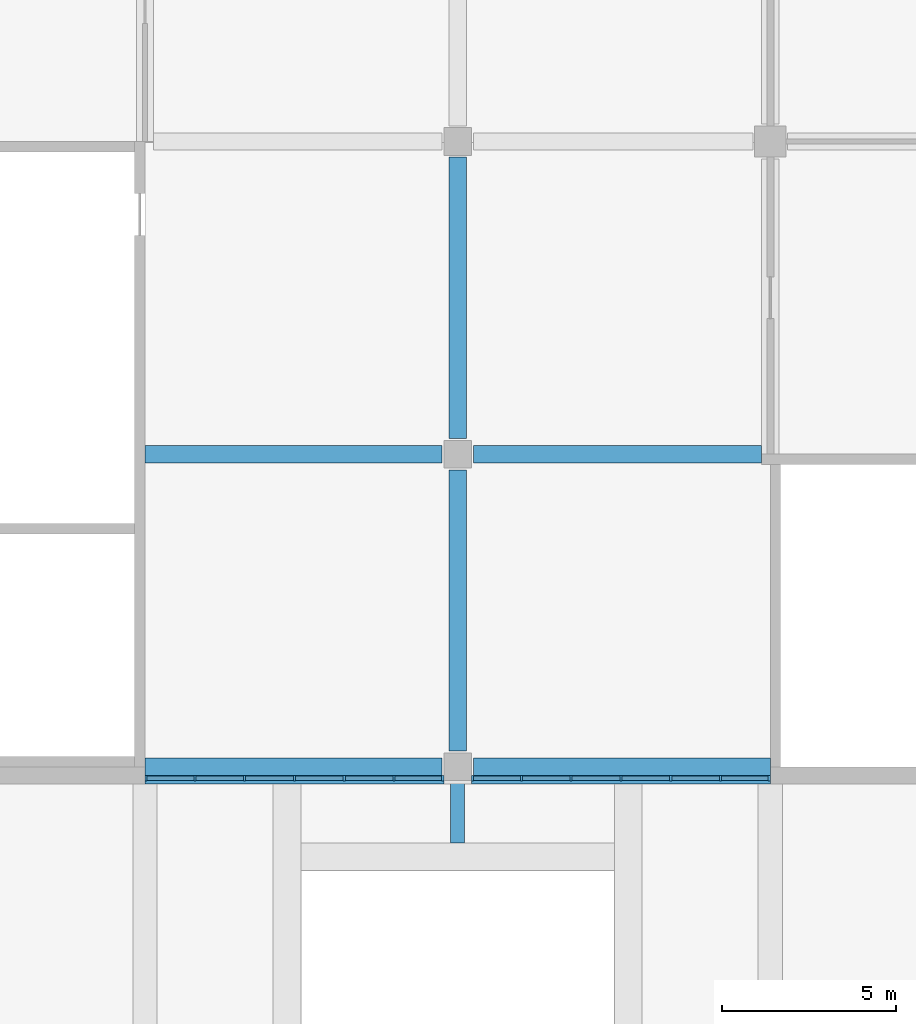
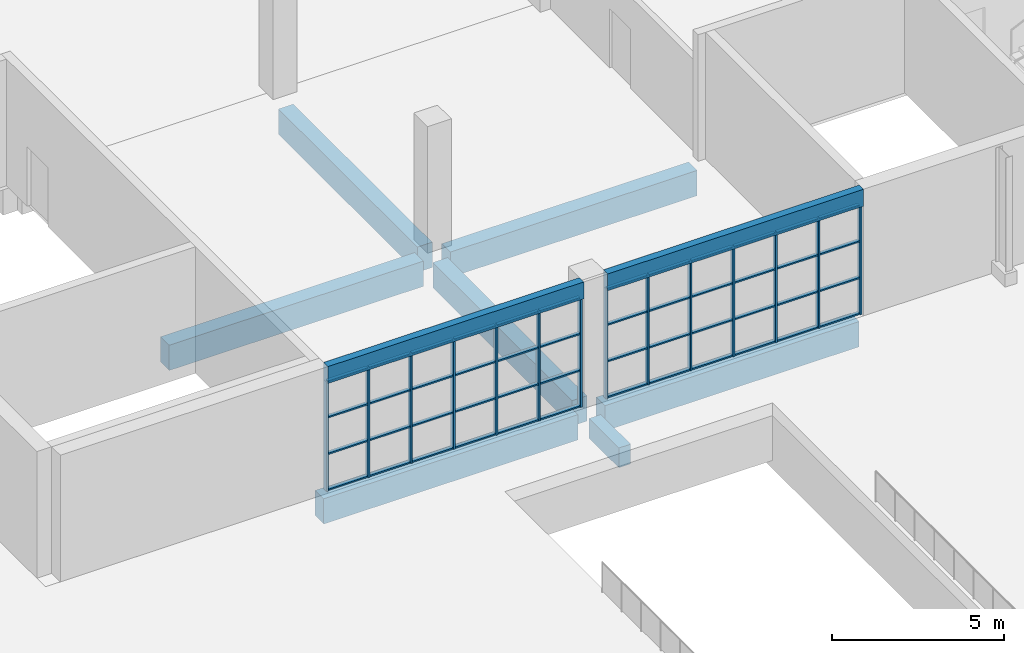
# One storey, part 19 of 168: 62 members, 9 beams, 2 elements without a shape of their own.
"""IFC4 building model written with IfcOpenShell, lengths in metres."""

from ifc_helpers import new_model, si_unit, direction, frame, origin, origin_2d, place, context, subcontext, project, spatial, rectangle, extrude, material, material_profile, profile_set, type_object, element, aggregate, save


model = new_model("IFC4")

# Units and contexts
model_context = context("Model", 3, precision=1e-05, world=origin(), true_north=direction((0.0, 1.0)))
body_context = subcontext(model_context, "Body", "Model", "MODEL_VIEW")
ifc_project = project(units=[si_unit("LENGTHUNIT", "METRE"), si_unit("AREAUNIT", "SQUARE_METRE"), si_unit("VOLUMEUNIT", "CUBIC_METRE"), si_unit("PLANEANGLEUNIT", "RADIAN"), si_unit("MASSUNIT", "GRAM", prefix="KILO")], contexts=[model_context])

# Site, building, storey
site_placement = place(None, origin())
site = spatial("IfcSite", under=ifc_project, at=site_placement, CompositionType="ELEMENT")
building_placement = place(site_placement, origin())
building = spatial("IfcBuilding", under=site, at=building_placement, Name="Silverbay Arena", CompositionType="ELEMENT")
storey_placement = place(building_placement, frame((0.0, 0.0, 7.0)))
storey = spatial("IfcBuildingStorey", under=building, at=storey_placement, Name="L01", CompositionType="ELEMENT", Elevation=7.0)

# Curtain wall, members
ifc_material_1 = material(Name="Aluminium framed curtain wall", Category="aluminium")
curtain_wall_type = type_object("IfcCurtainWallType", Name="Curtain wall 8600 x 3900", PredefinedType="NOTDEFINED", material=ifc_material_1)
curtain_wall_1_placement = place(storey_placement, origin())
curtain_wall_1 = element("IfcCurtainWall", 1, at=curtain_wall_1_placement, inside=storey, type_object=curtain_wall_type, Name="South curtain wall L01 bay 2", PredefinedType="NOTDEFINED")
ifc_material_2 = material(Name="Aluminium", Category="aluminium")
ifc_material_profile_1 = material_profile(ifc_material_2, rectangle(XDim=0.159912109375, YDim=0.06005859375, at=origin_2d()), Name="Mullion 60 x 160")
ifc_profile_set_1 = profile_set([ifc_material_profile_1], Name="Aluminium")
member_type_1 = type_object("IfcMemberType", Name="Mullion 60 x 160", PredefinedType="MULLION", material=ifc_profile_set_1)
member_1_placement = place(storey_placement, frame((36.030029296875, 17.669921875, 0.0), z_axis=(0.0, 0.0, 1.0), x_axis=(0.0, 1.0, 0.0)))
member_1 = element("IfcMember", 2, at=member_1_placement, type_object=member_type_1, Name="CW1 mullion 1", PredefinedType="MULLION", context=body_context, shape_type="SweptSolid", body=[
    extrude(rectangle(XDim=0.159912109375, YDim=0.06005859375, at=origin_2d()), origin(), (0.0, 0.0, 1.0), 3.89990234375),
])
member_2_placement = place(storey_placement, frame((37.433349609375, 17.669921875, 0.0), z_axis=(0.0, 0.0, 1.0), x_axis=(0.0, 1.0, 0.0)))
member_2 = element("IfcMember", 3, at=member_2_placement, type_object=member_type_1, Name="CW1 mullion 2", PredefinedType="MULLION", context=body_context, shape_type="SweptSolid", body=[
    extrude(rectangle(XDim=0.159912109375, YDim=0.06005859375, at=origin_2d()), origin(), (0.0, 0.0, 1.0), 3.89990234375),
])
member_3_placement = place(storey_placement, frame((38.86669921875, 17.669921875, 0.0), z_axis=(0.0, 0.0, 1.0), x_axis=(0.0, 1.0, 0.0)))
member_3 = element("IfcMember", 4, at=member_3_placement, type_object=member_type_1, Name="CW1 mullion 3", PredefinedType="MULLION", context=body_context, shape_type="SweptSolid", body=[
    extrude(rectangle(XDim=0.159912109375, YDim=0.06005859375, at=origin_2d()), origin(), (0.0, 0.0, 1.0), 3.89990234375),
])
member_4_placement = place(storey_placement, frame((40.300048828125, 17.669921875, 0.0), z_axis=(0.0, 0.0, 1.0), x_axis=(0.0, 1.0, 0.0)))
member_4 = element("IfcMember", 5, at=member_4_placement, type_object=member_type_1, Name="CW1 mullion 4", PredefinedType="MULLION", context=body_context, shape_type="SweptSolid", body=[
    extrude(rectangle(XDim=0.159912109375, YDim=0.06005859375, at=origin_2d()), origin(), (0.0, 0.0, 1.0), 3.89990234375),
])
member_5_placement = place(storey_placement, frame((41.7333984375, 17.669921875, 0.0), z_axis=(0.0, 0.0, 1.0), x_axis=(0.0, 1.0, 0.0)))
member_5 = element("IfcMember", 6, at=member_5_placement, type_object=member_type_1, Name="CW1 mullion 5", PredefinedType="MULLION", context=body_context, shape_type="SweptSolid", body=[
    extrude(rectangle(XDim=0.159912109375, YDim=0.06005859375, at=origin_2d()), origin(), (0.0, 0.0, 1.0), 3.89990234375),
])
member_6_placement = place(storey_placement, frame((43.166748046875, 17.669921875, 0.0), z_axis=(0.0, 0.0, 1.0), x_axis=(0.0, 1.0, 0.0)))
member_6 = element("IfcMember", 7, at=member_6_placement, type_object=member_type_1, Name="CW1 mullion 6", PredefinedType="MULLION", context=body_context, shape_type="SweptSolid", body=[
    extrude(rectangle(XDim=0.159912109375, YDim=0.06005859375, at=origin_2d()), origin(), (0.0, 0.0, 1.0), 3.89990234375),
])
member_7_placement = place(storey_placement, frame((44.570068359375, 17.669921875, 0.0), z_axis=(0.0, 0.0, 1.0), x_axis=(0.0, 1.0, 0.0)))
member_7 = element("IfcMember", 8, at=member_7_placement, type_object=member_type_1, Name="CW1 mullion 7", PredefinedType="MULLION", context=body_context, shape_type="SweptSolid", body=[
    extrude(rectangle(XDim=0.159912109375, YDim=0.06005859375, at=origin_2d()), origin(), (0.0, 0.0, 1.0), 3.89990234375),
])

curtain_wall_2_placement = place(storey_placement, origin())
curtain_wall_2 = element("IfcCurtainWall", 9, at=curtain_wall_2_placement, inside=storey, type_object=curtain_wall_type, Name="South curtain wall L01 bay 3", PredefinedType="NOTDEFINED")
member_8_placement = place(storey_placement, frame((45.429931640625, 17.669921875, 0.0), z_axis=(0.0, 0.0, 1.0), x_axis=(0.0, 1.0, 0.0)))
member_8 = element("IfcMember", 10, at=member_8_placement, type_object=member_type_1, Name="CW1 mullion 1", PredefinedType="MULLION", context=body_context, shape_type="SweptSolid", body=[
    extrude(rectangle(XDim=0.159912109375, YDim=0.06005859375, at=origin_2d()), origin(), (0.0, 0.0, 1.0), 3.89990234375),
])
member_9_placement = place(storey_placement, frame((46.833251953125, 17.669921875, 0.0), z_axis=(0.0, 0.0, 1.0), x_axis=(0.0, 1.0, 0.0)))
member_9 = element("IfcMember", 11, at=member_9_placement, type_object=member_type_1, Name="CW1 mullion 2", PredefinedType="MULLION", context=body_context, shape_type="SweptSolid", body=[
    extrude(rectangle(XDim=0.159912109375, YDim=0.06005859375, at=origin_2d()), origin(), (0.0, 0.0, 1.0), 3.89990234375),
])
member_10_placement = place(storey_placement, frame((48.2666015625, 17.669921875, 0.0), z_axis=(0.0, 0.0, 1.0), x_axis=(0.0, 1.0, 0.0)))
member_10 = element("IfcMember", 12, at=member_10_placement, type_object=member_type_1, Name="CW1 mullion 3", PredefinedType="MULLION", context=body_context, shape_type="SweptSolid", body=[
    extrude(rectangle(XDim=0.159912109375, YDim=0.06005859375, at=origin_2d()), origin(), (0.0, 0.0, 1.0), 3.89990234375),
])
member_11_placement = place(storey_placement, frame((49.699951171875, 17.669921875, 0.0), z_axis=(0.0, 0.0, 1.0), x_axis=(0.0, 1.0, 0.0)))
member_11 = element("IfcMember", 13, at=member_11_placement, type_object=member_type_1, Name="CW1 mullion 4", PredefinedType="MULLION", context=body_context, shape_type="SweptSolid", body=[
    extrude(rectangle(XDim=0.159912109375, YDim=0.06005859375, at=origin_2d()), origin(), (0.0, 0.0, 1.0), 3.89990234375),
])
member_12_placement = place(storey_placement, frame((51.13330078125, 17.669921875, 0.0), z_axis=(0.0, 0.0, 1.0), x_axis=(0.0, 1.0, 0.0)))
member_12 = element("IfcMember", 14, at=member_12_placement, type_object=member_type_1, Name="CW1 mullion 5", PredefinedType="MULLION", context=body_context, shape_type="SweptSolid", body=[
    extrude(rectangle(XDim=0.159912109375, YDim=0.06005859375, at=origin_2d()), origin(), (0.0, 0.0, 1.0), 3.89990234375),
])
member_13_placement = place(storey_placement, frame((52.566650390625, 17.669921875, 0.0), z_axis=(0.0, 0.0, 1.0), x_axis=(0.0, 1.0, 0.0)))
member_13 = element("IfcMember", 15, at=member_13_placement, type_object=member_type_1, Name="CW1 mullion 6", PredefinedType="MULLION", context=body_context, shape_type="SweptSolid", body=[
    extrude(rectangle(XDim=0.159912109375, YDim=0.06005859375, at=origin_2d()), origin(), (0.0, 0.0, 1.0), 3.89990234375),
])
member_14_placement = place(storey_placement, frame((53.969970703125, 17.669921875, 0.0), z_axis=(0.0, 0.0, 1.0), x_axis=(0.0, 1.0, 0.0)))
member_14 = element("IfcMember", 16, at=member_14_placement, type_object=member_type_1, Name="CW1 mullion 7", PredefinedType="MULLION", context=body_context, shape_type="SweptSolid", body=[
    extrude(rectangle(XDim=0.159912109375, YDim=0.06005859375, at=origin_2d()), origin(), (0.0, 0.0, 1.0), 3.89990234375),
])

# Beams
ifc_material_3 = material(Name="Concrete Grade C45", Category="concrete")
ifc_material_profile_2 = material_profile(ifc_material_3, rectangle(XDim=0.39990234375, YDim=0.699951171875, at=origin_2d()), Name="RC 400x700")
ifc_profile_set_2 = profile_set([ifc_material_profile_2], Name="Concrete Grade C45")
beam_type_1 = type_object("IfcBeamType", Name="RC beam 400x700", PredefinedType="BEAM", material=ifc_profile_set_2)
beam_1_placement = place(storey_placement, frame((45.0, 15.81005859375, -0.800048828125), z_axis=(0.0, 1.0, 0.0), x_axis=(-1.0, 0.0, 0.0)))
element("IfcBeam", 17, at=beam_1_placement, inside=storey, type_object=beam_type_1, Name="Deck secondary beam 101", PredefinedType="BEAM", context=body_context, shape_type="SweptSolid", body=[
    extrude(rectangle(XDim=0.39990234375, YDim=0.699951171875, at=origin_2d()), origin(), (0.0, 0.0, 1.0), 1.739990234375),
])
ifc_material_4 = material(Name="Concrete Grade C45", Category="concrete")
ifc_material_profile_3 = material_profile(ifc_material_4, rectangle(XDim=0.5, YDim=0.89990234375, at=origin_2d()), Name="RC 500x900")
ifc_profile_set_3 = profile_set([ifc_material_profile_3], Name="Concrete Grade C45")
beam_type_2 = type_object("IfcBeamType", Name="RC beam 500x900", PredefinedType="BEAM", material=ifc_profile_set_3)
for number, where, z_axis, x_axis, name in (
    (18, (36.0, 18.0, -0.800048828125), (1.0, 0.0, 0.0), (0.0, 1.0, 0.0), "Floor beam L01 001"),
    (19, (45.449951171875, 18.0, -0.800048828125), (1.0, 0.0, 0.0), (0.0, 1.0, 0.0), "Floor beam L01 002"),
    (20, (36.0, 27.0, -0.800048828125), (1.0, 0.0, 0.0), (0.0, 1.0, 0.0), "Floor beam L01 010"),
):
    element("IfcBeam", number, at=place(storey_placement, frame(where, z_axis=z_axis, x_axis=x_axis)), inside=storey, type_object=beam_type_2, Name=name, PredefinedType="BEAM", context=body_context, shape_type="SweptSolid", body=[
        extrude(rectangle(XDim=0.5, YDim=0.89990234375, at=origin_2d()), origin(), (0.0, 0.0, 1.0), 8.550048828125),
    ])
beam_2_placement = place(storey_placement, frame((45.449951171875, 27.0, -0.800048828125), z_axis=(1.0, 0.0, 0.0), x_axis=(0.0, 1.0, 0.0)))
element("IfcBeam", 21, at=beam_2_placement, inside=storey, type_object=beam_type_2, Name="Floor beam L01 011", PredefinedType="BEAM", context=body_context, shape_type="SweptSolid", body=[
    extrude(rectangle(XDim=0.5, YDim=0.89990234375, at=origin_2d()), origin(), (0.0, 0.0, 1.0), 8.300048828125),
])
for number, where, z_axis, x_axis, name in (
    (22, (45.0, 18.449951171875, -0.800048828125), (0.0, 1.0, 0.0), (-1.0, 0.0, 0.0), "Floor beam L01 201"),
    (23, (45.0, 27.449951171875, -0.800048828125), (0.0, 1.0, 0.0), (-1.0, 0.0, 0.0), "Floor beam L01 202"),
):
    element("IfcBeam", number, at=place(storey_placement, frame(where, z_axis=z_axis, x_axis=x_axis)), inside=storey, type_object=beam_type_2, Name=name, PredefinedType="BEAM", context=body_context, shape_type="SweptSolid", body=[
        extrude(rectangle(XDim=0.5, YDim=0.89990234375, at=origin_2d()), origin(), (0.0, 0.0, 1.0), 8.10009765625),
    ])
ifc_material_5 = material(Name="Concrete Grade C45", Category="concrete")
ifc_material_profile_4 = material_profile(ifc_material_5, rectangle(XDim=0.25, YDim=0.60009765625, at=origin_2d()), Name="RC 250x600")
ifc_profile_set_4 = profile_set([ifc_material_profile_4], Name="Concrete Grade C45")
beam_type_3 = type_object("IfcBeamType", Name="RC facade beam 250x600", PredefinedType="SPANDREL", material=ifc_profile_set_4)
for number, where, z_axis, x_axis, name in (
    (24, (36.0, 17.625, 4.199951171875), (1.0, 0.0, 0.0), (0.0, 1.0, 0.0), "Facade beam L01 south"),
    (25, (45.39990234375, 17.625, 4.199951171875), (1.0, 0.0, 0.0), (0.0, 1.0, 0.0), "Facade beam L01 south"),
):
    element("IfcBeam", number, at=place(storey_placement, frame(where, z_axis=z_axis, x_axis=x_axis)), inside=storey, type_object=beam_type_3, Name=name, PredefinedType="SPANDREL", context=body_context, shape_type="SweptSolid", body=[
        extrude(rectangle(XDim=0.25, YDim=0.60009765625, at=origin_2d()), origin(), (0.0, 0.0, 1.0), 8.60009765625),
    ])

# Member
ifc_material_6 = material(Name="Aluminium", Category="aluminium")
ifc_material_profile_5 = material_profile(ifc_material_6, rectangle(XDim=0.1201171875, YDim=0.050048828125, at=origin_2d()), Name="Transom 50 x 120")
ifc_profile_set_5 = profile_set([ifc_material_profile_5], Name="Aluminium")
member_type_2 = type_object("IfcMemberType", Name="Transom 50 x 120", PredefinedType="USERDEFINED", material=ifc_profile_set_5)
member_15_placement = place(storey_placement, frame((36.06005859375, 17.669921875, 0.02490234375), z_axis=(1.0, 0.0, 0.0), x_axis=(0.0, 1.0, 0.0)))
member_15 = element("IfcMember", 26, at=member_15_placement, type_object=member_type_2, Name="CW1 transom 1.1", ObjectType="TRANSOM", PredefinedType="USERDEFINED", context=body_context, shape_type="SweptSolid", body=[
    extrude(rectangle(XDim=0.1201171875, YDim=0.050048828125, at=origin_2d()), origin(), (0.0, 0.0, 1.0), 1.34326171875),
])

member_16_placement = place(storey_placement, frame((36.06005859375, 17.669921875, 1.300048828125), z_axis=(1.0, 0.0, 0.0), x_axis=(0.0, 1.0, 0.0)))
member_16 = element("IfcMember", 27, at=member_16_placement, type_object=member_type_2, Name="CW1 transom 1.2", ObjectType="TRANSOM", PredefinedType="USERDEFINED", context=body_context, shape_type="SweptSolid", body=[
    extrude(rectangle(XDim=0.1201171875, YDim=0.050048828125, at=origin_2d()), origin(), (0.0, 0.0, 1.0), 1.34326171875),
])

member_17_placement = place(storey_placement, frame((36.06005859375, 17.669921875, 2.60009765625), z_axis=(1.0, 0.0, 0.0), x_axis=(0.0, 1.0, 0.0)))
member_17 = element("IfcMember", 28, at=member_17_placement, type_object=member_type_2, Name="CW1 transom 1.3", ObjectType="TRANSOM", PredefinedType="USERDEFINED", context=body_context, shape_type="SweptSolid", body=[
    extrude(rectangle(XDim=0.1201171875, YDim=0.050048828125, at=origin_2d()), origin(), (0.0, 0.0, 1.0), 1.34326171875),
])

member_18_placement = place(storey_placement, frame((36.06005859375, 17.669921875, 3.875), z_axis=(1.0, 0.0, 0.0), x_axis=(0.0, 1.0, 0.0)))
member_18 = element("IfcMember", 29, at=member_18_placement, type_object=member_type_2, Name="CW1 transom 1.4", ObjectType="TRANSOM", PredefinedType="USERDEFINED", context=body_context, shape_type="SweptSolid", body=[
    extrude(rectangle(XDim=0.1201171875, YDim=0.050048828125, at=origin_2d()), origin(), (0.0, 0.0, 1.0), 1.34326171875),
])

member_19_placement = place(storey_placement, frame((37.46337890625, 17.669921875, 0.02490234375), z_axis=(1.0, 0.0, 0.0), x_axis=(0.0, 1.0, 0.0)))
member_19 = element("IfcMember", 30, at=member_19_placement, type_object=member_type_2, Name="CW1 transom 2.1", ObjectType="TRANSOM", PredefinedType="USERDEFINED", context=body_context, shape_type="SweptSolid", body=[
    extrude(rectangle(XDim=0.1201171875, YDim=0.050048828125, at=origin_2d()), origin(), (0.0, 0.0, 1.0), 1.373291015625),
])

member_20_placement = place(storey_placement, frame((37.46337890625, 17.669921875, 1.300048828125), z_axis=(1.0, 0.0, 0.0), x_axis=(0.0, 1.0, 0.0)))
member_20 = element("IfcMember", 31, at=member_20_placement, type_object=member_type_2, Name="CW1 transom 2.2", ObjectType="TRANSOM", PredefinedType="USERDEFINED", context=body_context, shape_type="SweptSolid", body=[
    extrude(rectangle(XDim=0.1201171875, YDim=0.050048828125, at=origin_2d()), origin(), (0.0, 0.0, 1.0), 1.373291015625),
])

member_21_placement = place(storey_placement, frame((37.46337890625, 17.669921875, 2.60009765625), z_axis=(1.0, 0.0, 0.0), x_axis=(0.0, 1.0, 0.0)))
member_21 = element("IfcMember", 32, at=member_21_placement, type_object=member_type_2, Name="CW1 transom 2.3", ObjectType="TRANSOM", PredefinedType="USERDEFINED", context=body_context, shape_type="SweptSolid", body=[
    extrude(rectangle(XDim=0.1201171875, YDim=0.050048828125, at=origin_2d()), origin(), (0.0, 0.0, 1.0), 1.373291015625),
])

member_22_placement = place(storey_placement, frame((37.46337890625, 17.669921875, 3.875), z_axis=(1.0, 0.0, 0.0), x_axis=(0.0, 1.0, 0.0)))
member_22 = element("IfcMember", 33, at=member_22_placement, type_object=member_type_2, Name="CW1 transom 2.4", ObjectType="TRANSOM", PredefinedType="USERDEFINED", context=body_context, shape_type="SweptSolid", body=[
    extrude(rectangle(XDim=0.1201171875, YDim=0.050048828125, at=origin_2d()), origin(), (0.0, 0.0, 1.0), 1.373291015625),
])

member_23_placement = place(storey_placement, frame((38.896728515625, 17.669921875, 0.02490234375), z_axis=(1.0, 0.0, 0.0), x_axis=(0.0, 1.0, 0.0)))
member_23 = element("IfcMember", 34, at=member_23_placement, type_object=member_type_2, Name="CW1 transom 3.1", ObjectType="TRANSOM", PredefinedType="USERDEFINED", context=body_context, shape_type="SweptSolid", body=[
    extrude(rectangle(XDim=0.1201171875, YDim=0.050048828125, at=origin_2d()), origin(), (0.0, 0.0, 1.0), 1.373291015625),
])

member_24_placement = place(storey_placement, frame((38.896728515625, 17.669921875, 1.300048828125), z_axis=(1.0, 0.0, 0.0), x_axis=(0.0, 1.0, 0.0)))
member_24 = element("IfcMember", 35, at=member_24_placement, type_object=member_type_2, Name="CW1 transom 3.2", ObjectType="TRANSOM", PredefinedType="USERDEFINED", context=body_context, shape_type="SweptSolid", body=[
    extrude(rectangle(XDim=0.1201171875, YDim=0.050048828125, at=origin_2d()), origin(), (0.0, 0.0, 1.0), 1.373291015625),
])

member_25_placement = place(storey_placement, frame((38.896728515625, 17.669921875, 2.60009765625), z_axis=(1.0, 0.0, 0.0), x_axis=(0.0, 1.0, 0.0)))
member_25 = element("IfcMember", 36, at=member_25_placement, type_object=member_type_2, Name="CW1 transom 3.3", ObjectType="TRANSOM", PredefinedType="USERDEFINED", context=body_context, shape_type="SweptSolid", body=[
    extrude(rectangle(XDim=0.1201171875, YDim=0.050048828125, at=origin_2d()), origin(), (0.0, 0.0, 1.0), 1.373291015625),
])

member_26_placement = place(storey_placement, frame((38.896728515625, 17.669921875, 3.875), z_axis=(1.0, 0.0, 0.0), x_axis=(0.0, 1.0, 0.0)))
member_26 = element("IfcMember", 37, at=member_26_placement, type_object=member_type_2, Name="CW1 transom 3.4", ObjectType="TRANSOM", PredefinedType="USERDEFINED", context=body_context, shape_type="SweptSolid", body=[
    extrude(rectangle(XDim=0.1201171875, YDim=0.050048828125, at=origin_2d()), origin(), (0.0, 0.0, 1.0), 1.373291015625),
])

member_27_placement = place(storey_placement, frame((40.330078125, 17.669921875, 0.02490234375), z_axis=(1.0, 0.0, 0.0), x_axis=(0.0, 1.0, 0.0)))
member_27 = element("IfcMember", 38, at=member_27_placement, type_object=member_type_2, Name="CW1 transom 4.1", ObjectType="TRANSOM", PredefinedType="USERDEFINED", context=body_context, shape_type="SweptSolid", body=[
    extrude(rectangle(XDim=0.1201171875, YDim=0.050048828125, at=origin_2d()), origin(), (0.0, 0.0, 1.0), 1.373291015625),
])

member_28_placement = place(storey_placement, frame((40.330078125, 17.669921875, 1.300048828125), z_axis=(1.0, 0.0, 0.0), x_axis=(0.0, 1.0, 0.0)))
member_28 = element("IfcMember", 39, at=member_28_placement, type_object=member_type_2, Name="CW1 transom 4.2", ObjectType="TRANSOM", PredefinedType="USERDEFINED", context=body_context, shape_type="SweptSolid", body=[
    extrude(rectangle(XDim=0.1201171875, YDim=0.050048828125, at=origin_2d()), origin(), (0.0, 0.0, 1.0), 1.373291015625),
])

member_29_placement = place(storey_placement, frame((40.330078125, 17.669921875, 2.60009765625), z_axis=(1.0, 0.0, 0.0), x_axis=(0.0, 1.0, 0.0)))
member_29 = element("IfcMember", 40, at=member_29_placement, type_object=member_type_2, Name="CW1 transom 4.3", ObjectType="TRANSOM", PredefinedType="USERDEFINED", context=body_context, shape_type="SweptSolid", body=[
    extrude(rectangle(XDim=0.1201171875, YDim=0.050048828125, at=origin_2d()), origin(), (0.0, 0.0, 1.0), 1.373291015625),
])

member_30_placement = place(storey_placement, frame((40.330078125, 17.669921875, 3.875), z_axis=(1.0, 0.0, 0.0), x_axis=(0.0, 1.0, 0.0)))
member_30 = element("IfcMember", 41, at=member_30_placement, type_object=member_type_2, Name="CW1 transom 4.4", ObjectType="TRANSOM", PredefinedType="USERDEFINED", context=body_context, shape_type="SweptSolid", body=[
    extrude(rectangle(XDim=0.1201171875, YDim=0.050048828125, at=origin_2d()), origin(), (0.0, 0.0, 1.0), 1.373291015625),
])

member_31_placement = place(storey_placement, frame((41.763427734375, 17.669921875, 0.02490234375), z_axis=(1.0, 0.0, 0.0), x_axis=(0.0, 1.0, 0.0)))
member_31 = element("IfcMember", 42, at=member_31_placement, type_object=member_type_2, Name="CW1 transom 5.1", ObjectType="TRANSOM", PredefinedType="USERDEFINED", context=body_context, shape_type="SweptSolid", body=[
    extrude(rectangle(XDim=0.1201171875, YDim=0.050048828125, at=origin_2d()), origin(), (0.0, 0.0, 1.0), 1.373291015625),
])

member_32_placement = place(storey_placement, frame((41.763427734375, 17.669921875, 1.300048828125), z_axis=(1.0, 0.0, 0.0), x_axis=(0.0, 1.0, 0.0)))
member_32 = element("IfcMember", 43, at=member_32_placement, type_object=member_type_2, Name="CW1 transom 5.2", ObjectType="TRANSOM", PredefinedType="USERDEFINED", context=body_context, shape_type="SweptSolid", body=[
    extrude(rectangle(XDim=0.1201171875, YDim=0.050048828125, at=origin_2d()), origin(), (0.0, 0.0, 1.0), 1.373291015625),
])

member_33_placement = place(storey_placement, frame((41.763427734375, 17.669921875, 2.60009765625), z_axis=(1.0, 0.0, 0.0), x_axis=(0.0, 1.0, 0.0)))
member_33 = element("IfcMember", 44, at=member_33_placement, type_object=member_type_2, Name="CW1 transom 5.3", ObjectType="TRANSOM", PredefinedType="USERDEFINED", context=body_context, shape_type="SweptSolid", body=[
    extrude(rectangle(XDim=0.1201171875, YDim=0.050048828125, at=origin_2d()), origin(), (0.0, 0.0, 1.0), 1.373291015625),
])

member_34_placement = place(storey_placement, frame((41.763427734375, 17.669921875, 3.875), z_axis=(1.0, 0.0, 0.0), x_axis=(0.0, 1.0, 0.0)))
member_34 = element("IfcMember", 45, at=member_34_placement, type_object=member_type_2, Name="CW1 transom 5.4", ObjectType="TRANSOM", PredefinedType="USERDEFINED", context=body_context, shape_type="SweptSolid", body=[
    extrude(rectangle(XDim=0.1201171875, YDim=0.050048828125, at=origin_2d()), origin(), (0.0, 0.0, 1.0), 1.373291015625),
])

member_35_placement = place(storey_placement, frame((43.19677734375, 17.669921875, 0.02490234375), z_axis=(1.0, 0.0, 0.0), x_axis=(0.0, 1.0, 0.0)))
member_35 = element("IfcMember", 46, at=member_35_placement, type_object=member_type_2, Name="CW1 transom 6.1", ObjectType="TRANSOM", PredefinedType="USERDEFINED", context=body_context, shape_type="SweptSolid", body=[
    extrude(rectangle(XDim=0.1201171875, YDim=0.050048828125, at=origin_2d()), origin(), (0.0, 0.0, 1.0), 1.34326171875),
])

member_36_placement = place(storey_placement, frame((43.19677734375, 17.669921875, 1.300048828125), z_axis=(1.0, 0.0, 0.0), x_axis=(0.0, 1.0, 0.0)))
member_36 = element("IfcMember", 47, at=member_36_placement, type_object=member_type_2, Name="CW1 transom 6.2", ObjectType="TRANSOM", PredefinedType="USERDEFINED", context=body_context, shape_type="SweptSolid", body=[
    extrude(rectangle(XDim=0.1201171875, YDim=0.050048828125, at=origin_2d()), origin(), (0.0, 0.0, 1.0), 1.34326171875),
])

member_37_placement = place(storey_placement, frame((43.19677734375, 17.669921875, 2.60009765625), z_axis=(1.0, 0.0, 0.0), x_axis=(0.0, 1.0, 0.0)))
member_37 = element("IfcMember", 48, at=member_37_placement, type_object=member_type_2, Name="CW1 transom 6.3", ObjectType="TRANSOM", PredefinedType="USERDEFINED", context=body_context, shape_type="SweptSolid", body=[
    extrude(rectangle(XDim=0.1201171875, YDim=0.050048828125, at=origin_2d()), origin(), (0.0, 0.0, 1.0), 1.34326171875),
])

member_38_placement = place(storey_placement, frame((43.19677734375, 17.669921875, 3.875), z_axis=(1.0, 0.0, 0.0), x_axis=(0.0, 1.0, 0.0)))
member_38 = element("IfcMember", 49, at=member_38_placement, type_object=member_type_2, Name="CW1 transom 6.4", ObjectType="TRANSOM", PredefinedType="USERDEFINED", context=body_context, shape_type="SweptSolid", body=[
    extrude(rectangle(XDim=0.1201171875, YDim=0.050048828125, at=origin_2d()), origin(), (0.0, 0.0, 1.0), 1.34326171875),
])

aggregate(curtain_wall_1, [member_1, member_2, member_3, member_4, member_5, member_6, member_7, member_15, member_16, member_17, member_18, member_19, member_20, member_21, member_22, member_23, member_24, member_25, member_26, member_27, member_28, member_29, member_30, member_31, member_32, member_33, member_34, member_35, member_36, member_37, member_38])

member_39_placement = place(storey_placement, frame((45.4599609375, 17.669921875, 0.02490234375), z_axis=(1.0, 0.0, 0.0), x_axis=(0.0, 1.0, 0.0)))
member_39 = element("IfcMember", 50, at=member_39_placement, type_object=member_type_2, Name="CW1 transom 1.1", ObjectType="TRANSOM", PredefinedType="USERDEFINED", context=body_context, shape_type="SweptSolid", body=[
    extrude(rectangle(XDim=0.1201171875, YDim=0.050048828125, at=origin_2d()), origin(), (0.0, 0.0, 1.0), 1.34326171875),
])

member_40_placement = place(storey_placement, frame((45.4599609375, 17.669921875, 1.300048828125), z_axis=(1.0, 0.0, 0.0), x_axis=(0.0, 1.0, 0.0)))
member_40 = element("IfcMember", 51, at=member_40_placement, type_object=member_type_2, Name="CW1 transom 1.2", ObjectType="TRANSOM", PredefinedType="USERDEFINED", context=body_context, shape_type="SweptSolid", body=[
    extrude(rectangle(XDim=0.1201171875, YDim=0.050048828125, at=origin_2d()), origin(), (0.0, 0.0, 1.0), 1.34326171875),
])

member_41_placement = place(storey_placement, frame((45.4599609375, 17.669921875, 2.60009765625), z_axis=(1.0, 0.0, 0.0), x_axis=(0.0, 1.0, 0.0)))
member_41 = element("IfcMember", 52, at=member_41_placement, type_object=member_type_2, Name="CW1 transom 1.3", ObjectType="TRANSOM", PredefinedType="USERDEFINED", context=body_context, shape_type="SweptSolid", body=[
    extrude(rectangle(XDim=0.1201171875, YDim=0.050048828125, at=origin_2d()), origin(), (0.0, 0.0, 1.0), 1.34326171875),
])

member_42_placement = place(storey_placement, frame((45.4599609375, 17.669921875, 3.875), z_axis=(1.0, 0.0, 0.0), x_axis=(0.0, 1.0, 0.0)))
member_42 = element("IfcMember", 53, at=member_42_placement, type_object=member_type_2, Name="CW1 transom 1.4", ObjectType="TRANSOM", PredefinedType="USERDEFINED", context=body_context, shape_type="SweptSolid", body=[
    extrude(rectangle(XDim=0.1201171875, YDim=0.050048828125, at=origin_2d()), origin(), (0.0, 0.0, 1.0), 1.34326171875),
])

member_43_placement = place(storey_placement, frame((46.86328125, 17.669921875, 0.02490234375), z_axis=(1.0, 0.0, 0.0), x_axis=(0.0, 1.0, 0.0)))
member_43 = element("IfcMember", 54, at=member_43_placement, type_object=member_type_2, Name="CW1 transom 2.1", ObjectType="TRANSOM", PredefinedType="USERDEFINED", context=body_context, shape_type="SweptSolid", body=[
    extrude(rectangle(XDim=0.1201171875, YDim=0.050048828125, at=origin_2d()), origin(), (0.0, 0.0, 1.0), 1.373291015625),
])

member_44_placement = place(storey_placement, frame((46.86328125, 17.669921875, 1.300048828125), z_axis=(1.0, 0.0, 0.0), x_axis=(0.0, 1.0, 0.0)))
member_44 = element("IfcMember", 55, at=member_44_placement, type_object=member_type_2, Name="CW1 transom 2.2", ObjectType="TRANSOM", PredefinedType="USERDEFINED", context=body_context, shape_type="SweptSolid", body=[
    extrude(rectangle(XDim=0.1201171875, YDim=0.050048828125, at=origin_2d()), origin(), (0.0, 0.0, 1.0), 1.373291015625),
])

member_45_placement = place(storey_placement, frame((46.86328125, 17.669921875, 2.60009765625), z_axis=(1.0, 0.0, 0.0), x_axis=(0.0, 1.0, 0.0)))
member_45 = element("IfcMember", 56, at=member_45_placement, type_object=member_type_2, Name="CW1 transom 2.3", ObjectType="TRANSOM", PredefinedType="USERDEFINED", context=body_context, shape_type="SweptSolid", body=[
    extrude(rectangle(XDim=0.1201171875, YDim=0.050048828125, at=origin_2d()), origin(), (0.0, 0.0, 1.0), 1.373291015625),
])

member_46_placement = place(storey_placement, frame((46.86328125, 17.669921875, 3.875), z_axis=(1.0, 0.0, 0.0), x_axis=(0.0, 1.0, 0.0)))
member_46 = element("IfcMember", 57, at=member_46_placement, type_object=member_type_2, Name="CW1 transom 2.4", ObjectType="TRANSOM", PredefinedType="USERDEFINED", context=body_context, shape_type="SweptSolid", body=[
    extrude(rectangle(XDim=0.1201171875, YDim=0.050048828125, at=origin_2d()), origin(), (0.0, 0.0, 1.0), 1.373291015625),
])

member_47_placement = place(storey_placement, frame((48.296630859375, 17.669921875, 0.02490234375), z_axis=(1.0, 0.0, 0.0), x_axis=(0.0, 1.0, 0.0)))
member_47 = element("IfcMember", 58, at=member_47_placement, type_object=member_type_2, Name="CW1 transom 3.1", ObjectType="TRANSOM", PredefinedType="USERDEFINED", context=body_context, shape_type="SweptSolid", body=[
    extrude(rectangle(XDim=0.1201171875, YDim=0.050048828125, at=origin_2d()), origin(), (0.0, 0.0, 1.0), 1.373291015625),
])

member_48_placement = place(storey_placement, frame((48.296630859375, 17.669921875, 1.300048828125), z_axis=(1.0, 0.0, 0.0), x_axis=(0.0, 1.0, 0.0)))
member_48 = element("IfcMember", 59, at=member_48_placement, type_object=member_type_2, Name="CW1 transom 3.2", ObjectType="TRANSOM", PredefinedType="USERDEFINED", context=body_context, shape_type="SweptSolid", body=[
    extrude(rectangle(XDim=0.1201171875, YDim=0.050048828125, at=origin_2d()), origin(), (0.0, 0.0, 1.0), 1.373291015625),
])

member_49_placement = place(storey_placement, frame((48.296630859375, 17.669921875, 2.60009765625), z_axis=(1.0, 0.0, 0.0), x_axis=(0.0, 1.0, 0.0)))
member_49 = element("IfcMember", 60, at=member_49_placement, type_object=member_type_2, Name="CW1 transom 3.3", ObjectType="TRANSOM", PredefinedType="USERDEFINED", context=body_context, shape_type="SweptSolid", body=[
    extrude(rectangle(XDim=0.1201171875, YDim=0.050048828125, at=origin_2d()), origin(), (0.0, 0.0, 1.0), 1.373291015625),
])

member_50_placement = place(storey_placement, frame((48.296630859375, 17.669921875, 3.875), z_axis=(1.0, 0.0, 0.0), x_axis=(0.0, 1.0, 0.0)))
member_50 = element("IfcMember", 61, at=member_50_placement, type_object=member_type_2, Name="CW1 transom 3.4", ObjectType="TRANSOM", PredefinedType="USERDEFINED", context=body_context, shape_type="SweptSolid", body=[
    extrude(rectangle(XDim=0.1201171875, YDim=0.050048828125, at=origin_2d()), origin(), (0.0, 0.0, 1.0), 1.373291015625),
])

member_51_placement = place(storey_placement, frame((49.72998046875, 17.669921875, 0.02490234375), z_axis=(1.0, 0.0, 0.0), x_axis=(0.0, 1.0, 0.0)))
member_51 = element("IfcMember", 62, at=member_51_placement, type_object=member_type_2, Name="CW1 transom 4.1", ObjectType="TRANSOM", PredefinedType="USERDEFINED", context=body_context, shape_type="SweptSolid", body=[
    extrude(rectangle(XDim=0.1201171875, YDim=0.050048828125, at=origin_2d()), origin(), (0.0, 0.0, 1.0), 1.373291015625),
])

member_52_placement = place(storey_placement, frame((49.72998046875, 17.669921875, 1.300048828125), z_axis=(1.0, 0.0, 0.0), x_axis=(0.0, 1.0, 0.0)))
member_52 = element("IfcMember", 63, at=member_52_placement, type_object=member_type_2, Name="CW1 transom 4.2", ObjectType="TRANSOM", PredefinedType="USERDEFINED", context=body_context, shape_type="SweptSolid", body=[
    extrude(rectangle(XDim=0.1201171875, YDim=0.050048828125, at=origin_2d()), origin(), (0.0, 0.0, 1.0), 1.373291015625),
])

member_53_placement = place(storey_placement, frame((49.72998046875, 17.669921875, 2.60009765625), z_axis=(1.0, 0.0, 0.0), x_axis=(0.0, 1.0, 0.0)))
member_53 = element("IfcMember", 64, at=member_53_placement, type_object=member_type_2, Name="CW1 transom 4.3", ObjectType="TRANSOM", PredefinedType="USERDEFINED", context=body_context, shape_type="SweptSolid", body=[
    extrude(rectangle(XDim=0.1201171875, YDim=0.050048828125, at=origin_2d()), origin(), (0.0, 0.0, 1.0), 1.373291015625),
])

member_54_placement = place(storey_placement, frame((49.72998046875, 17.669921875, 3.875), z_axis=(1.0, 0.0, 0.0), x_axis=(0.0, 1.0, 0.0)))
member_54 = element("IfcMember", 65, at=member_54_placement, type_object=member_type_2, Name="CW1 transom 4.4", ObjectType="TRANSOM", PredefinedType="USERDEFINED", context=body_context, shape_type="SweptSolid", body=[
    extrude(rectangle(XDim=0.1201171875, YDim=0.050048828125, at=origin_2d()), origin(), (0.0, 0.0, 1.0), 1.373291015625),
])

member_55_placement = place(storey_placement, frame((51.163330078125, 17.669921875, 0.02490234375), z_axis=(1.0, 0.0, 0.0), x_axis=(0.0, 1.0, 0.0)))
member_55 = element("IfcMember", 66, at=member_55_placement, type_object=member_type_2, Name="CW1 transom 5.1", ObjectType="TRANSOM", PredefinedType="USERDEFINED", context=body_context, shape_type="SweptSolid", body=[
    extrude(rectangle(XDim=0.1201171875, YDim=0.050048828125, at=origin_2d()), origin(), (0.0, 0.0, 1.0), 1.373291015625),
])

member_56_placement = place(storey_placement, frame((51.163330078125, 17.669921875, 1.300048828125), z_axis=(1.0, 0.0, 0.0), x_axis=(0.0, 1.0, 0.0)))
member_56 = element("IfcMember", 67, at=member_56_placement, type_object=member_type_2, Name="CW1 transom 5.2", ObjectType="TRANSOM", PredefinedType="USERDEFINED", context=body_context, shape_type="SweptSolid", body=[
    extrude(rectangle(XDim=0.1201171875, YDim=0.050048828125, at=origin_2d()), origin(), (0.0, 0.0, 1.0), 1.373291015625),
])

member_57_placement = place(storey_placement, frame((51.163330078125, 17.669921875, 2.60009765625), z_axis=(1.0, 0.0, 0.0), x_axis=(0.0, 1.0, 0.0)))
member_57 = element("IfcMember", 68, at=member_57_placement, type_object=member_type_2, Name="CW1 transom 5.3", ObjectType="TRANSOM", PredefinedType="USERDEFINED", context=body_context, shape_type="SweptSolid", body=[
    extrude(rectangle(XDim=0.1201171875, YDim=0.050048828125, at=origin_2d()), origin(), (0.0, 0.0, 1.0), 1.373291015625),
])

member_58_placement = place(storey_placement, frame((51.163330078125, 17.669921875, 3.875), z_axis=(1.0, 0.0, 0.0), x_axis=(0.0, 1.0, 0.0)))
member_58 = element("IfcMember", 69, at=member_58_placement, type_object=member_type_2, Name="CW1 transom 5.4", ObjectType="TRANSOM", PredefinedType="USERDEFINED", context=body_context, shape_type="SweptSolid", body=[
    extrude(rectangle(XDim=0.1201171875, YDim=0.050048828125, at=origin_2d()), origin(), (0.0, 0.0, 1.0), 1.373291015625),
])

member_59_placement = place(storey_placement, frame((52.5966796875, 17.669921875, 0.02490234375), z_axis=(1.0, 0.0, 0.0), x_axis=(0.0, 1.0, 0.0)))
member_59 = element("IfcMember", 70, at=member_59_placement, type_object=member_type_2, Name="CW1 transom 6.1", ObjectType="TRANSOM", PredefinedType="USERDEFINED", context=body_context, shape_type="SweptSolid", body=[
    extrude(rectangle(XDim=0.1201171875, YDim=0.050048828125, at=origin_2d()), origin(), (0.0, 0.0, 1.0), 1.34326171875),
])

member_60_placement = place(storey_placement, frame((52.5966796875, 17.669921875, 1.300048828125), z_axis=(1.0, 0.0, 0.0), x_axis=(0.0, 1.0, 0.0)))
member_60 = element("IfcMember", 71, at=member_60_placement, type_object=member_type_2, Name="CW1 transom 6.2", ObjectType="TRANSOM", PredefinedType="USERDEFINED", context=body_context, shape_type="SweptSolid", body=[
    extrude(rectangle(XDim=0.1201171875, YDim=0.050048828125, at=origin_2d()), origin(), (0.0, 0.0, 1.0), 1.34326171875),
])

member_61_placement = place(storey_placement, frame((52.5966796875, 17.669921875, 2.60009765625), z_axis=(1.0, 0.0, 0.0), x_axis=(0.0, 1.0, 0.0)))
member_61 = element("IfcMember", 72, at=member_61_placement, type_object=member_type_2, Name="CW1 transom 6.3", ObjectType="TRANSOM", PredefinedType="USERDEFINED", context=body_context, shape_type="SweptSolid", body=[
    extrude(rectangle(XDim=0.1201171875, YDim=0.050048828125, at=origin_2d()), origin(), (0.0, 0.0, 1.0), 1.34326171875),
])

member_62_placement = place(storey_placement, frame((52.5966796875, 17.669921875, 3.875), z_axis=(1.0, 0.0, 0.0), x_axis=(0.0, 1.0, 0.0)))
member_62 = element("IfcMember", 73, at=member_62_placement, type_object=member_type_2, Name="CW1 transom 6.4", ObjectType="TRANSOM", PredefinedType="USERDEFINED", context=body_context, shape_type="SweptSolid", body=[
    extrude(rectangle(XDim=0.1201171875, YDim=0.050048828125, at=origin_2d()), origin(), (0.0, 0.0, 1.0), 1.34326171875),
])

aggregate(curtain_wall_2, [member_8, member_9, member_10, member_11, member_12, member_13, member_14, member_39, member_40, member_41, member_42, member_43, member_44, member_45, member_46, member_47, member_48, member_49, member_50, member_51, member_52, member_53, member_54, member_55, member_56, member_57, member_58, member_59, member_60, member_61, member_62])

save(model, "model.ifc")
